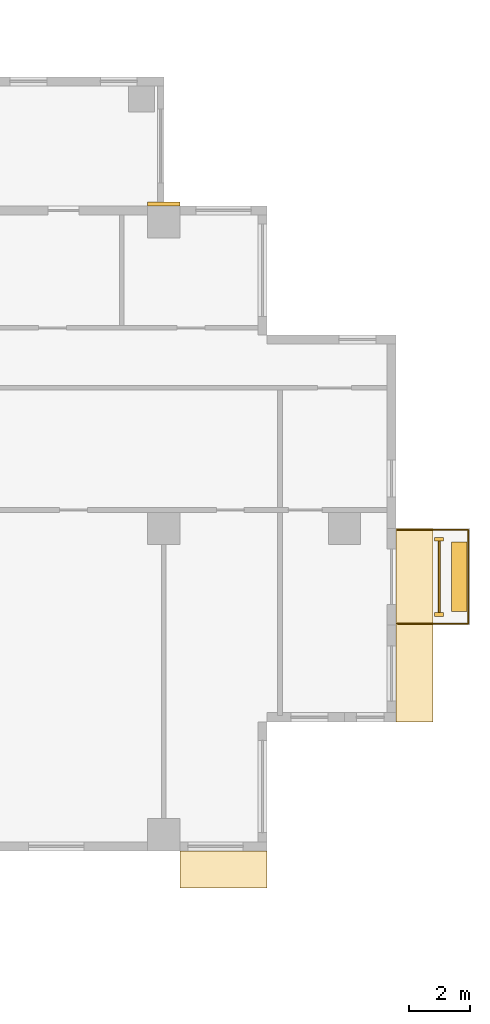
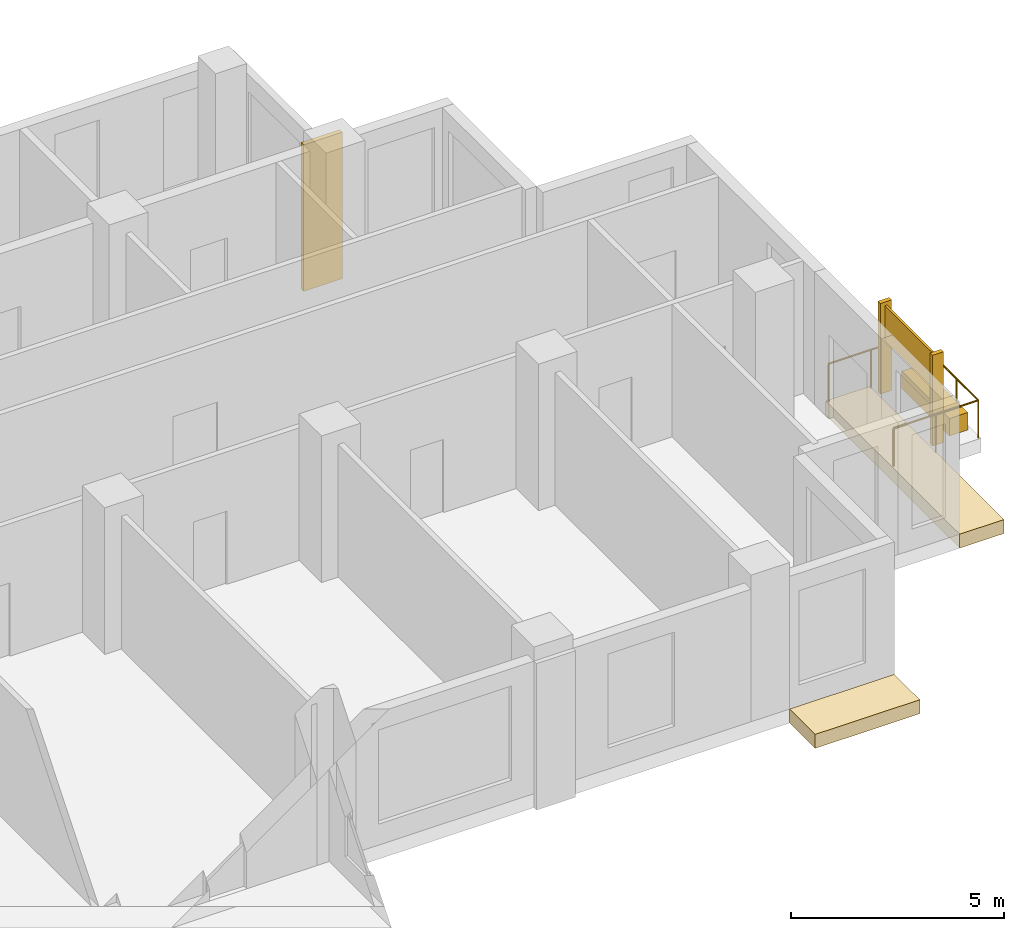
# One storey, part 16 of 16: 7 coverings, 1 railing.
"""IFC4 building model written with IfcOpenShell, lengths in metres."""

from ifc_helpers import new_model, si_unit, direction, frame, origin, origin_2d, place, context, subcontext, project, spatial, polyline, rectangle, circle, outline, extrude, source, transform, mapped, material, type_object, element, save


model = new_model("IFC4")

# Units and contexts
model_context = context("Model", 3, precision=1e-05, world=origin(), true_north=direction((0.0, 1.0)))
body_context = subcontext(model_context, "Body", "Model", "MODEL_VIEW")
ifc_project = project(units=[si_unit("LENGTHUNIT", "METRE"), si_unit("AREAUNIT", "SQUARE_METRE"), si_unit("VOLUMEUNIT", "CUBIC_METRE"), si_unit("PLANEANGLEUNIT", "RADIAN"), si_unit("MASSUNIT", "GRAM", prefix="KILO")], contexts=[model_context])

# Site, building, storey
site_placement = place(None, origin())
site = spatial("IfcSite", under=ifc_project, at=site_placement, CompositionType="ELEMENT")
building_placement = place(site_placement, origin())
building = spatial("IfcBuilding", under=site, at=building_placement, Name="Aurelian Terraces", CompositionType="ELEMENT")
storey_placement = place(building_placement, frame((0.0, 0.0, 124.5)))
storey = spatial("IfcBuildingStorey", under=building, at=storey_placement, Name="L27", CompositionType="ELEMENT", Elevation=124.5)

# Coverings
ifc_material_1 = material(Name="Terracotta roof tiles on membrane", Category="masonry")
covering_type_1 = type_object("IfcCoveringType", Name="Bay roof cover", PredefinedType="ROOFING", material=ifc_material_1)
covering_1_placement = place(storey_placement, frame((0.0, 0.0, -0.4)))
element("IfcCovering", 1, at=covering_1_placement, inside=storey, type_object=covering_type_1, Name="Bay roof L27 64.36_-1.20_67.20_0.00", PredefinedType="ROOFING", context=body_context, shape_type="SweptSolid", body=[
    extrude(outline(polyline([(67.2, 0.0), (67.2, -1.2), (64.365, -1.2), (64.365, 0.0), (67.2, 0.0)])), origin(), (0.0, 0.0, 1.0), 0.4),
])
ifc_material_2 = material(Name="Terracotta rainscreen cladding relief", Category="masonry")
covering_type_2 = type_object("IfcCoveringType", Name="FIN-TC", PredefinedType="CLADDING", material=ifc_material_2)
shared_shape_1 = source(origin(), body_context, "Body", "SweptSolid", [
    extrude(rectangle(XDim=0.3, YDim=0.12, at=origin_2d()), origin(), (0.0, 0.0, 1.0), 2.6),
])
for number, where, z_axis, x_axis, name in (
    (2, (72.8, 7.7, 0.0), (0.0, 0.0, 1.0), (1.0, 0.0, 0.0), "FIN L27 L27-F04-16.1"),
    (3, (72.8, 10.15, 0.0), (0.0, 0.0, 1.0), (1.0, 0.0, 0.0), "FIN L27 L27-F04-16.2"),
):
    element("IfcCovering", number, at=place(storey_placement, frame(where, z_axis=z_axis, x_axis=x_axis)), inside=storey, type_object=covering_type_2, Name=name, PredefinedType="CLADDING", context=body_context, shape_type="MappedRepresentation", body=[
        mapped(shared_shape_1, transform((0.0, 0.0, 0.0), scale=1.0)),
    ])

# Railing
ifc_material_3 = material(Name="Anodised aluminium", Category="aluminium")
railing_type = type_object("IfcRailingType", Name="GUARD-1100", PredefinedType="GUARDRAIL", material=ifc_material_3)
shared_shape_2 = source(origin(), body_context, "Body", "SweptSolid", [
    extrude(circle(Radius=0.024, at=origin_2d()), frame((0.0, 0.0, 1.076), z_axis=(1.0, 0.0, 0.0), x_axis=(0.0, 1.0, 0.0)), (0.0, 0.0, 1.0), 2.3),
    extrude(circle(Radius=0.024, at=origin_2d()), frame((2.3, 0.0, 1.076), z_axis=(0.0, 1.0, 0.0), x_axis=(-1.0, 0.0, 0.0)), (0.0, 0.0, 1.0), 3.05),
    extrude(circle(Radius=0.024, at=origin_2d()), frame((2.3, 3.05, 1.076), z_axis=(-1.0, 0.0, 0.0), x_axis=(0.0, -1.0, 0.0)), (0.0, 0.0, 1.0), 2.3),
    extrude(circle(Radius=0.021, at=origin_2d()), origin(), (0.0, 0.0, 1.0), 1.052),
    extrude(circle(Radius=0.021, at=origin_2d()), frame((1.15, 0.0, 0.0)), (0.0, 0.0, 1.0), 1.052),
    extrude(circle(Radius=0.021, at=origin_2d()), frame((2.3, 0.0, 0.0)), (0.0, 0.0, 1.0), 1.052),
    extrude(circle(Radius=0.021, at=origin_2d()), frame((2.3, 1.0167, 0.0)), (0.0, 0.0, 1.0), 1.052),
    extrude(circle(Radius=0.021, at=origin_2d()), frame((2.3, 2.0333, 0.0)), (0.0, 0.0, 1.0), 1.052),
    extrude(circle(Radius=0.021, at=origin_2d()), frame((2.3, 3.05, 0.0)), (0.0, 0.0, 1.0), 1.052),
    extrude(circle(Radius=0.021, at=origin_2d()), frame((1.15, 3.05, 0.0)), (0.0, 0.0, 1.0), 1.052),
    extrude(circle(Radius=0.021, at=origin_2d()), frame((0.0, 3.05, 0.0)), (0.0, 0.0, 1.0), 1.052),
])
railing_placement = place(storey_placement, frame((71.45, 7.4, 0.0)))
element("IfcRailing", 4, at=railing_placement, inside=storey, type_object=railing_type, Name="Balcony guard L27 F04.16", PredefinedType="GUARDRAIL", context=body_context, shape_type="MappedRepresentation", body=[
    mapped(shared_shape_2, transform((0.0, 0.0, 0.0), scale=1.0)),
])

# Coverings
ifc_material_4 = material(Name="Terracotta planter with planting soil", Category="masonry")
covering_type_3 = type_object("IfcCoveringType", Name="PLANTER-TROUGH", PredefinedType="USERDEFINED", material=ifc_material_4)
shared_shape_3 = source(origin(), body_context, "Body", "SweptSolid", [
    extrude(rectangle(XDim=0.5, YDim=2.25, at=origin_2d()), origin(), (0.0, 0.0, 1.0), 0.5),
])
covering_2_placement = place(storey_placement, frame((73.45, 8.925, 0.0), z_axis=(0.0, 0.0, 1.0), x_axis=(1.0, 0.0, 0.0)))
element("IfcCovering", 5, at=covering_2_placement, inside=storey, type_object=covering_type_3, Name="PLANTER L27 L27-F04-16", ObjectType="PLANTER", PredefinedType="USERDEFINED", context=body_context, shape_type="MappedRepresentation", body=[
    mapped(shared_shape_3, transform((0.0, 0.0, 0.0), scale=1.0)),
])
ifc_material_5 = material(Name="Terracotta rainscreen cladding", Category="masonry")
covering_type_4 = type_object("IfcCoveringType", Name="SCREEN-TC", PredefinedType="CLADDING", material=ifc_material_5)
shared_shape_4 = source(origin(), body_context, "Body", "SweptSolid", [
    extrude(rectangle(XDim=0.06, YDim=2.33, at=origin_2d()), origin(), (0.0, 0.0, 1.0), 1.0),
])
covering_3_placement = place(storey_placement, frame((72.8, 8.925, 1.5), z_axis=(0.0, 0.0, 1.0), x_axis=(1.0, 0.0, 0.0)))
element("IfcCovering", 6, at=covering_3_placement, inside=storey, type_object=covering_type_4, Name="SCREEN L27 L27-F04-16", PredefinedType="CLADDING", context=body_context, shape_type="MappedRepresentation", body=[
    mapped(shared_shape_4, transform((0.0, 0.0, 0.0), scale=1.0)),
])
covering_type_5 = type_object("IfcCoveringType", Name="BAGUETTE-TC", PredefinedType="CLADDING", material=ifc_material_2)
shared_shape_5 = source(origin(), body_context, "Body", "SweptSolid", [
    extrude(rectangle(XDim=1.05, YDim=0.12, at=origin_2d()), origin(), (0.0, 0.0, 1.0), 4.2),
])
covering_4_placement = place(storey_placement, frame((63.84, 21.06, -0.4), z_axis=(0.0, 0.0, 1.0), x_axis=(1.0, 0.0, 0.0)))
element("IfcCovering", 7, at=covering_4_placement, inside=storey, type_object=covering_type_5, Name="BAGUETTE pier L27 9", PredefinedType="CLADDING", context=body_context, shape_type="MappedRepresentation", body=[
    mapped(shared_shape_5, transform((0.0, 0.0, 0.0), scale=1.0)),
])
shared_shape_6 = source(origin(), body_context, "Body", "SweptSolid", [
    extrude(outline(polyline([(71.4, 10.5), (72.6, 10.5), (72.6, 4.2), (71.4, 4.2), (71.4, 10.5)])), origin(), (0.0, 0.0, 1.0), 0.4),
])
covering_5_placement = place(storey_placement, frame((0.0, 0.0, -0.4)))
element("IfcCovering", 8, at=covering_5_placement, inside=storey, type_object=covering_type_1, Name="Bay roof L27 71.40_4.20_72.60_10.50", PredefinedType="ROOFING", context=body_context, shape_type="MappedRepresentation", body=[
    mapped(shared_shape_6, transform((0.0, 0.0, 0.0), scale=1.0)),
])

save(model, "model.ifc")
